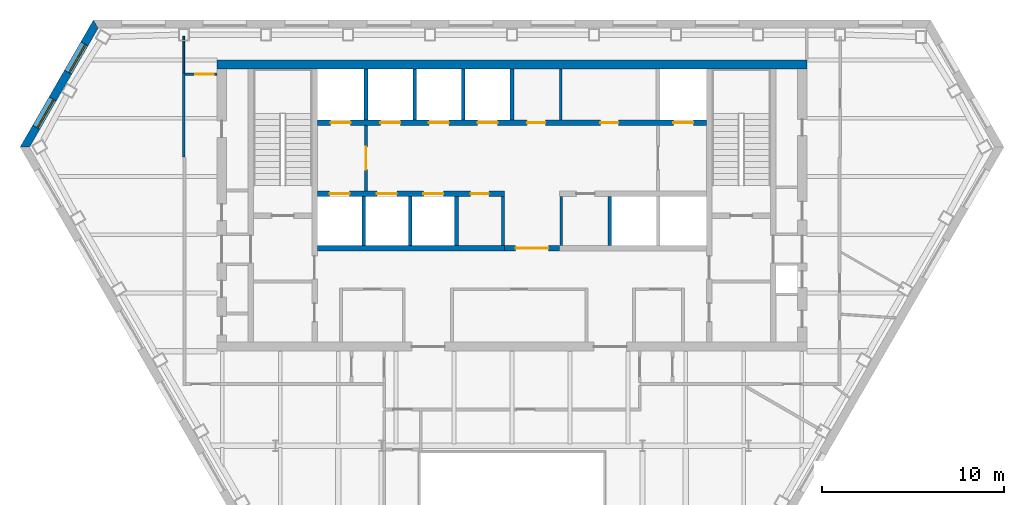
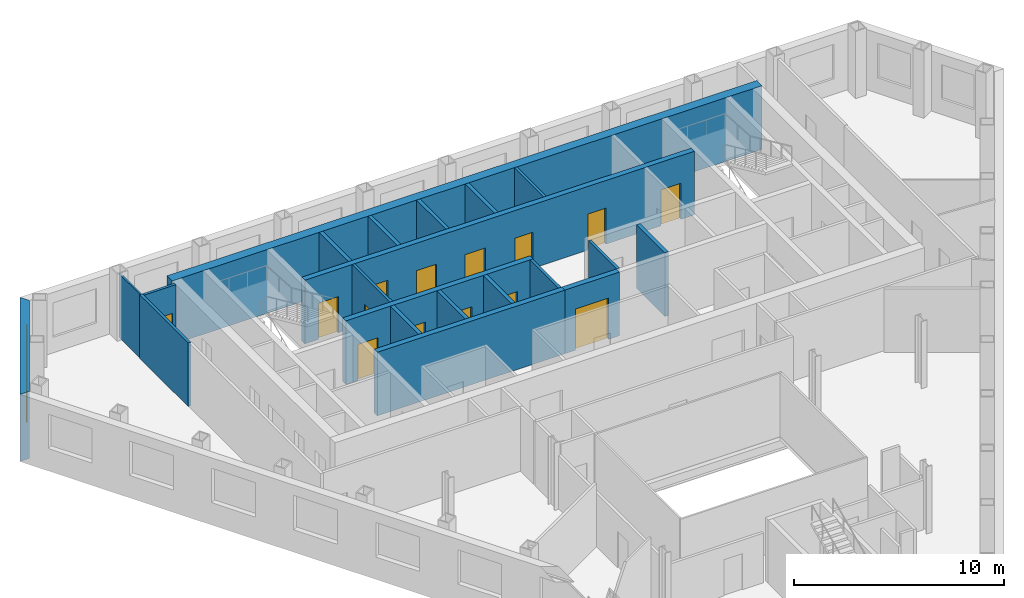
# One storey, part 6 of 11: 21 walls, 14 doors, 2 windows, 16 openings.
"""IFC4 building model written with IfcOpenShell, lengths in metres."""

from ifc_helpers import new_model, si_unit, direction, frame, frame_2d, origin, place, context, subcontext, project, spatial, polyline, rectangle, outline, extrude, material, layer, layer_set, type_object, element, fill, save


model = new_model("IFC4")

# Units and contexts
model_context = context("Model", 3, precision=1e-05, world=origin(), true_north=direction((0.0, 1.0)))
body_context = subcontext(model_context, "Body", "Model", "MODEL_VIEW")
ifc_project = project(units=[si_unit("LENGTHUNIT", "METRE"), si_unit("AREAUNIT", "SQUARE_METRE"), si_unit("VOLUMEUNIT", "CUBIC_METRE"), si_unit("PLANEANGLEUNIT", "RADIAN"), si_unit("MASSUNIT", "GRAM", prefix="KILO")], contexts=[model_context])

# Site, building, storey
site_placement = place(None, origin())
site = spatial("IfcSite", under=ifc_project, at=site_placement, CompositionType="ELEMENT")
building_placement = place(site_placement, origin())
building = spatial("IfcBuilding", under=site, at=building_placement, Name="Njiva Tower", CompositionType="ELEMENT")
storey_placement = place(building_placement, frame((0.0, 0.0, 178.8)))
storey = spatial("IfcBuildingStorey", under=building, at=storey_placement, Name="L39", CompositionType="ELEMENT", Elevation=178.8)

# Walls
ifc_material_1 = material(Name="Blockwork", Category="masonry")
ifc_layer_1 = layer(ifc_material_1, 0.15)
ifc_layer_set_1 = layer_set([ifc_layer_1], Name="Blockwork")
wall_type_1 = type_object("IfcWallType", Name="WT1 Compartment partition 150", PredefinedType="PARTITIONING", material=ifc_layer_set_1)
wall_1_placement = place(storey_placement, frame((2.675, 14.7, 0.0), z_axis=(0.0, 0.0, 1.0), x_axis=(0.0, 1.0, 0.0)))
element("IfcWall", 1, at=wall_1_placement, inside=storey, type_object=wall_type_1, Name="Partition CN5", PredefinedType="PARTITIONING", context=body_context, shape_type="SweptSolid", body=[
    extrude(rectangle(XDim=2.8, YDim=0.15, at=frame_2d((1.4, 0.0))), origin(), (0.0, 0.0, 1.0), 3.7),
])
for number, where, z_axis, x_axis, name in (
    (2, (-0.5, 7.8, 0.0), (0.0, 0.0, 1.0), (0.0, 1.0, 0.0), "Partition CS4"),
    (3, (2.7, 7.8, 0.0), (0.0, 0.0, 1.0), (0.0, 1.0, 0.0), "Partition CS5"),
):
    element("IfcWall", number, at=place(storey_placement, frame(where, z_axis=z_axis, x_axis=x_axis)), inside=storey, type_object=wall_type_1, Name=name, PredefinedType="PARTITIONING", context=body_context, shape_type="SweptSolid", body=[
        extrude(rectangle(XDim=2.7, YDim=0.15, at=frame_2d((1.35, 0.0))), origin(), (0.0, 0.0, 1.0), 3.7),
    ])
ifc_material_2 = material(Name="Concrete C60/75", Category="concrete")
ifc_layer_2 = layer(ifc_material_2, 0.5)
ifc_layer_set_2 = layer_set([ifc_layer_2], Name="Concrete C60/75")
wall_type_2 = type_object("IfcWallType", Name="WT13 Core wall 500", PredefinedType="SHEAR", material=ifc_layer_set_2)
wall_2_placement = place(storey_placement, frame((-16.2, 17.75, 0.0), z_axis=(0.0, 0.0, 1.0), x_axis=(1.0, 0.0, 0.0)))
element("IfcWall", 4, at=wall_2_placement, inside=storey, type_object=wall_type_2, Name="Core wall north", PredefinedType="SHEAR", context=body_context, shape_type="SweptSolid", body=[
    extrude(rectangle(XDim=32.4, YDim=0.5, at=frame_2d((16.2, 0.0))), origin(), (0.0, 0.0, 1.0), 3.7),
])

# Wall, opening, door
ifc_layer_3 = layer(ifc_material_1, 0.15)
ifc_layer_set_3 = layer_set([ifc_layer_3], Name="Blockwork")
wall_type_3 = type_object("IfcWallType", Name="WT2 Lobby partition 150", PredefinedType="PARTITIONING", material=ifc_layer_set_3)
wall_3_placement = place(storey_placement, frame((-8.025, 10.8, 0.0), z_axis=(0.0, 0.0, 1.0), x_axis=(0.0, 1.0, 0.0)))
wall_3 = element("IfcWall", 5, at=wall_3_placement, inside=storey, type_object=wall_type_3, Name="Firefighting lobby wall A", PredefinedType="PARTITIONING", context=body_context, shape_type="SweptSolid", body=[
    extrude(rectangle(XDim=3.6, YDim=0.15, at=frame_2d((1.8, 0.0))), origin(), (0.0, 0.0, 1.0), 3.7),
])
opening_1_placement = place(wall_3_placement, frame((1.175, 0.0, 0.0)))
opening_1 = element("IfcOpeningElement", 6, at=opening_1_placement, cuts=wall_3, Name="Opening S13-D913", PredefinedType="OPENING", context=body_context, shape_type="SweptSolid", body=[
    extrude(rectangle(XDim=1.25, YDim=2.1, at=frame_2d((0.625, 1.05))), frame((0.0, 0.085, 0.0), z_axis=(0.0, -1.0, 0.0), x_axis=(1.0, 0.0, 0.0)), (0.0, 0.0, 1.0), 0.17),
])
ifc_material_3 = material(Name="Glazed steel fire door", Category="steel")
door_type_1 = type_object("IfcDoorType", Name="D8 Vestibule corridor door 1250x2100 glazed", OperationType="SINGLE_SWING_LEFT", PredefinedType="DOOR", material=ifc_material_3)
door_1_placement = place(opening_1_placement, origin())
door_1 = element("IfcDoor", 7, at=door_1_placement, inside=storey, type_object=door_type_1, Name="Stair vestibule corridor door", OperationType="SINGLE_SWING_RIGHT", OverallHeight=2.1, OverallWidth=1.25, PredefinedType="DOOR", context=body_context, shape_type="SweptSolid", body=[
    extrude(rectangle(XDim=1.25, YDim=2.1, at=frame_2d((0.625, 1.05))), frame((0.0, 0.025, 0.0), z_axis=(0.0, -1.0, 0.0), x_axis=(1.0, 0.0, 0.0)), (0.0, 0.0, 1.0), 0.05),
])
fill(opening_1, door_1)

# Walls
ifc_material_4 = material(Name="Gypsum board on steel studs", Category="gypsum")
ifc_layer_4 = layer(ifc_material_4, 0.1)
ifc_layer_set_4 = layer_set([ifc_layer_4], Name="Gypsum board on steel studs")
wall_type_4 = type_object("IfcWallType", Name="WT20 Gypsum partition 100", PredefinedType="PARTITIONING", material=ifc_layer_set_4)
wall_4_placement = place(storey_placement, frame((-18.034, 17.297, 0.0), z_axis=(0.0, 0.0, 1.0), x_axis=(0.0, 1.0, 0.0)))
element("IfcWall", 8, at=wall_4_placement, inside=storey, type_object=wall_type_4, Name="Partition S13-P002", PredefinedType="PARTITIONING", context=body_context, shape_type="SweptSolid", body=[
    extrude(rectangle(XDim=2.003, YDim=0.1, at=frame_2d((1.0015, 0.0))), origin(), (0.0, 0.0, 1.0), 3.7),
])
ifc_layer_5 = layer(ifc_material_4, 0.15)
ifc_layer_set_5 = layer_set([ifc_layer_5], Name="Gypsum board on steel studs")
wall_type_5 = type_object("IfcWallType", Name="WT21 Compartment wall 150", PredefinedType="PARTITIONING", material=ifc_layer_set_5)
wall_5_placement = place(storey_placement, frame((-18.034, 12.677, 0.0), z_axis=(0.0, 0.0, 1.0), x_axis=(0.0, 1.0, 0.0)))
element("IfcWall", 9, at=wall_5_placement, inside=storey, type_object=wall_type_5, Name="Partition S13-P001", PredefinedType="PARTITIONING", context=body_context, shape_type="SweptSolid", body=[
    extrude(rectangle(XDim=4.62, YDim=0.15, at=frame_2d((2.31, 0.0))), origin(), (0.0, 0.0, 1.0), 3.7),
])

# Wall, opening, door
wall_6_placement = place(storey_placement, frame((-17.959, 17.222, 0.0), z_axis=(0.0, 0.0, 1.0), x_axis=(1.0, 0.0, 0.0)))
wall_6 = element("IfcWall", 10, at=wall_6_placement, inside=storey, type_object=wall_type_5, Name="Partition S13-P004", PredefinedType="PARTITIONING", context=body_context, shape_type="SweptSolid", body=[
    extrude(rectangle(XDim=1.759, YDim=0.15, at=frame_2d((0.8795, 0.0))), origin(), (0.0, 0.0, 1.0), 3.7),
])
opening_2_placement = place(wall_6_placement, frame((0.559, 0.0, 0.0)))
opening_2 = element("IfcOpeningElement", 11, at=opening_2_placement, cuts=wall_6, Name="Opening S13-D001", PredefinedType="OPENING", context=body_context, shape_type="SweptSolid", body=[
    extrude(rectangle(XDim=1.0, YDim=2.1, at=frame_2d((0.5, 1.05))), frame((0.0, 0.085, 0.0), z_axis=(0.0, -1.0, 0.0), x_axis=(1.0, 0.0, 0.0)), (0.0, 0.0, 1.0), 0.17),
])
ifc_material_5 = material(Name="Steel fire door set", Category="steel")
door_type_2 = type_object("IfcDoorType", Name="D37 Fire door 1000x2100", OperationType="SINGLE_SWING_LEFT", PredefinedType="DOOR", material=ifc_material_5)
door_2_placement = place(opening_2_placement, origin())
door_2 = element("IfcDoor", 12, at=door_2_placement, inside=storey, type_object=door_type_2, Name="Door S13-D001", OperationType="SINGLE_SWING_LEFT", OverallHeight=2.1, OverallWidth=1.0, PredefinedType="DOOR", context=body_context, shape_type="SweptSolid", body=[
    extrude(rectangle(XDim=1.0, YDim=2.1, at=frame_2d((0.5, 1.05))), frame((0.0, 0.025, 0.0), z_axis=(0.0, -1.0, 0.0), x_axis=(1.0, 0.0, 0.0)), (0.0, 0.0, 1.0), 0.05),
])
fill(opening_2, door_2)

ifc_layer_6 = layer(ifc_material_1, 0.3)
ifc_layer_set_6 = layer_set([ifc_layer_6], Name="Blockwork")
wall_type_6 = type_object("IfcWallType", Name="WT5 Lobby partition 300", PredefinedType="PARTITIONING", material=ifc_layer_set_6)
wall_7_placement = place(storey_placement, frame((-0.4, 7.65, 0.0), z_axis=(0.0, 0.0, 1.0), x_axis=(1.0, 0.0, 0.0)))
wall_7 = element("IfcWall", 13, at=wall_7_placement, inside=storey, type_object=wall_type_6, Name="Lift lobby screen wall", PredefinedType="PARTITIONING", context=body_context, shape_type="SweptSolid", body=[
    extrude(rectangle(XDim=3.0, YDim=0.3, at=frame_2d((1.5, 0.0))), origin(), (0.0, 0.0, 1.0), 3.7),
])
opening_3_placement = place(wall_7_placement, frame((0.6, 0.0, 0.0)))
opening_3 = element("IfcOpeningElement", 14, at=opening_3_placement, cuts=wall_7, Name="Opening S13-D936", PredefinedType="OPENING", context=body_context, shape_type="SweptSolid", body=[
    extrude(rectangle(XDim=1.8, YDim=2.4, at=frame_2d((0.9, 1.2))), frame((0.0, 0.16, 0.0), z_axis=(0.0, -1.0, 0.0), x_axis=(1.0, 0.0, 0.0)), (0.0, 0.0, 1.0), 0.32),
])
ifc_material_6 = material(Name="Steel and glass door", Category="steel")
door_type_3 = type_object("IfcDoorType", Name="D3 Core entrance door 1800x2400", OperationType="DOUBLE_DOOR_SINGLE_SWING", PredefinedType="DOOR", material=ifc_material_6)
door_3_placement = place(opening_3_placement, origin())
door_3 = element("IfcDoor", 15, at=door_3_placement, inside=storey, type_object=door_type_3, Name="Core entrance door", OperationType="DOUBLE_DOOR_SINGLE_SWING", OverallHeight=2.4, OverallWidth=1.8, PredefinedType="DOOR", context=body_context, shape_type="SweptSolid", body=[
    extrude(rectangle(XDim=1.8, YDim=2.4, at=frame_2d((0.9, 1.2))), frame((0.0, 0.025, 0.0), z_axis=(0.0, -1.0, 0.0), x_axis=(1.0, 0.0, 0.0)), (0.0, 0.0, 1.0), 0.05),
])
fill(opening_3, door_3)

# Walls
ifc_material_7 = material(Name="Concrete C40/50", Category="concrete")
ifc_layer_7 = layer(ifc_material_7, 0.2)
ifc_layer_set_7 = layer_set([ifc_layer_7], Name="Concrete C40/50")
wall_type_7 = type_object("IfcWallType", Name="WT6 Lift shaft wall 200", PredefinedType="SHEAR", material=ifc_layer_set_7)
for number, where, z_axis, x_axis, name in (
    (16, (-8.025, 14.7, 0.0), (0.0, 0.0, 1.0), (0.0, 1.0, 0.0), "Shaft wall CN1"),
    (17, (-5.35, 14.7, 0.0), (0.0, 0.0, 1.0), (0.0, 1.0, 0.0), "Shaft wall CN2"),
    (18, (-2.675, 14.7, 0.0), (0.0, 0.0, 1.0), (0.0, 1.0, 0.0), "Shaft wall CN3"),
    (19, (0.0, 14.7, 0.0), (0.0, 0.0, 1.0), (0.0, 1.0, 0.0), "Shaft wall CN4"),
):
    element("IfcWall", number, at=place(storey_placement, frame(where, z_axis=z_axis, x_axis=x_axis)), inside=storey, type_object=wall_type_7, Name=name, PredefinedType="SHEAR", context=body_context, shape_type="SweptSolid", body=[
        extrude(rectangle(XDim=2.8, YDim=0.2, at=frame_2d((1.4, 0.0))), origin(), (0.0, 0.0, 1.0), 3.7),
    ])
for number, where, z_axis, x_axis, name in (
    (20, (-8.15, 7.8, 0.0), (0.0, 0.0, 1.0), (0.0, 1.0, 0.0), "Shaft wall CS1"),
    (21, (-5.6, 7.8, 0.0), (0.0, 0.0, 1.0), (0.0, 1.0, 0.0), "Shaft wall CS2"),
    (22, (-3.05, 7.8, 0.0), (0.0, 0.0, 1.0), (0.0, 1.0, 0.0), "Shaft wall CS3"),
    (23, (5.3667, 7.8, 0.0), (0.0, 0.0, 1.0), (0.0, 1.0, 0.0), "Shaft wall CS6"),
):
    element("IfcWall", number, at=place(storey_placement, frame(where, z_axis=z_axis, x_axis=x_axis)), inside=storey, type_object=wall_type_7, Name=name, PredefinedType="SHEAR", context=body_context, shape_type="SweptSolid", body=[
        extrude(rectangle(XDim=2.7, YDim=0.2, at=frame_2d((1.35, 0.0))), origin(), (0.0, 0.0, 1.0), 3.7),
    ])

# Wall, openings, doors
ifc_layer_8 = layer(ifc_material_7, 0.3)
ifc_layer_set_8 = layer_set([ifc_layer_8], Name="Concrete C40/50")
wall_type_8 = type_object("IfcWallType", Name="WT7 Lift shaft wall 300", PredefinedType="SHEAR", material=ifc_layer_set_8)
wall_8_placement = place(storey_placement, frame((-10.7, 14.55, 0.0), z_axis=(0.0, 0.0, 1.0), x_axis=(1.0, 0.0, 0.0)))
wall_8 = element("IfcWall", 24, at=wall_8_placement, inside=storey, type_object=wall_type_8, Name="Shaft wall north row lobby side", PredefinedType="SHEAR", context=body_context, shape_type="SweptSolid", body=[
    extrude(rectangle(XDim=21.4, YDim=0.3, at=frame_2d((10.7, 0.0))), origin(), (0.0, 0.0, 1.0), 3.7),
])
opening_4_placement = place(wall_8_placement, frame((0.7375, 0.0, 0.0)))
opening_4 = element("IfcOpeningElement", 25, at=opening_4_placement, cuts=wall_8, Name="Opening S13-D901", PredefinedType="OPENING", context=body_context, shape_type="SweptSolid", body=[
    extrude(rectangle(XDim=1.1, YDim=2.1, at=frame_2d((0.55, 1.05))), frame((0.0, 0.16, 0.0), z_axis=(0.0, -1.0, 0.0), x_axis=(1.0, 0.0, 0.0)), (0.0, 0.0, 1.0), 0.32),
])
opening_5_placement = place(wall_8_placement, frame((3.4625, 0.0, 0.0)))
opening_5 = element("IfcOpeningElement", 26, at=opening_5_placement, cuts=wall_8, Name="Opening S13-D902", PredefinedType="OPENING", context=body_context, shape_type="SweptSolid", body=[
    extrude(rectangle(XDim=1.1, YDim=2.1, at=frame_2d((0.55, 1.05))), frame((0.0, 0.16, 0.0), z_axis=(0.0, -1.0, 0.0), x_axis=(1.0, 0.0, 0.0)), (0.0, 0.0, 1.0), 0.32),
])
opening_6_placement = place(wall_8_placement, frame((6.1375, 0.0, 0.0)))
opening_6 = element("IfcOpeningElement", 27, at=opening_6_placement, cuts=wall_8, Name="Opening S13-D903", PredefinedType="OPENING", context=body_context, shape_type="SweptSolid", body=[
    extrude(rectangle(XDim=1.1, YDim=2.1, at=frame_2d((0.55, 1.05))), frame((0.0, 0.16, 0.0), z_axis=(0.0, -1.0, 0.0), x_axis=(1.0, 0.0, 0.0)), (0.0, 0.0, 1.0), 0.32),
])
opening_7_placement = place(wall_8_placement, frame((8.8125, 0.0, 0.0)))
opening_7 = element("IfcOpeningElement", 28, at=opening_7_placement, cuts=wall_8, Name="Opening S13-D904", PredefinedType="OPENING", context=body_context, shape_type="SweptSolid", body=[
    extrude(rectangle(XDim=1.1, YDim=2.1, at=frame_2d((0.55, 1.05))), frame((0.0, 0.16, 0.0), z_axis=(0.0, -1.0, 0.0), x_axis=(1.0, 0.0, 0.0)), (0.0, 0.0, 1.0), 0.32),
])
opening_8_placement = place(wall_8_placement, frame((19.5625, 0.0, 0.0)))
opening_8 = element("IfcOpeningElement", 29, at=opening_8_placement, cuts=wall_8, Name="Opening S13-D905", PredefinedType="OPENING", context=body_context, shape_type="SweptSolid", body=[
    extrude(rectangle(XDim=1.1, YDim=2.1, at=frame_2d((0.55, 1.05))), frame((0.0, 0.16, 0.0), z_axis=(0.0, -1.0, 0.0), x_axis=(1.0, 0.0, 0.0)), (0.0, 0.0, 1.0), 0.32),
])
opening_9_placement = place(wall_8_placement, frame((11.5375, 0.0, 0.0)))
opening_9 = element("IfcOpeningElement", 30, at=opening_9_placement, cuts=wall_8, Name="Opening S13-D909", PredefinedType="OPENING", context=body_context, shape_type="SweptSolid", body=[
    extrude(rectangle(XDim=1.0, YDim=2.1, at=frame_2d((0.5, 1.05))), frame((0.0, 0.16, 0.0), z_axis=(0.0, -1.0, 0.0), x_axis=(1.0, 0.0, 0.0)), (0.0, 0.0, 1.0), 0.32),
])
opening_10_placement = place(wall_8_placement, frame((15.55, 0.0, 0.0)))
opening_10 = element("IfcOpeningElement", 31, at=opening_10_placement, cuts=wall_8, Name="Opening S13-D910", PredefinedType="OPENING", context=body_context, shape_type="SweptSolid", body=[
    extrude(rectangle(XDim=1.0, YDim=2.1, at=frame_2d((0.5, 1.05))), frame((0.0, 0.16, 0.0), z_axis=(0.0, -1.0, 0.0), x_axis=(1.0, 0.0, 0.0)), (0.0, 0.0, 1.0), 0.32),
])
ifc_material_8 = material(Name="Steel door, painted", Category="steel")
door_type_4 = type_object("IfcDoorType", Name="D5 Steel door 1000x2100", OperationType="SINGLE_SWING_LEFT", PredefinedType="DOOR", material=ifc_material_8)
door_4_placement = place(opening_9_placement, origin())
door_4 = element("IfcDoor", 32, at=door_4_placement, inside=storey, type_object=door_type_4, Name="Quiet room door", OperationType="SINGLE_SWING_LEFT", OverallHeight=2.1, OverallWidth=1.0, PredefinedType="DOOR", context=body_context, shape_type="SweptSolid", body=[
    extrude(rectangle(XDim=1.0, YDim=2.1, at=frame_2d((0.5, 1.05))), frame((0.0, 0.025, 0.0), z_axis=(0.0, -1.0, 0.0), x_axis=(1.0, 0.0, 0.0)), (0.0, 0.0, 1.0), 0.05),
])
fill(opening_9, door_4)
door_5_placement = place(opening_10_placement, origin())
door_5 = element("IfcDoor", 33, at=door_5_placement, inside=storey, type_object=door_type_4, Name="Prayer room door", OperationType="SINGLE_SWING_LEFT", OverallHeight=2.1, OverallWidth=1.0, PredefinedType="DOOR", context=body_context, shape_type="SweptSolid", body=[
    extrude(rectangle(XDim=1.0, YDim=2.1, at=frame_2d((0.5, 1.05))), frame((0.0, 0.025, 0.0), z_axis=(0.0, -1.0, 0.0), x_axis=(1.0, 0.0, 0.0)), (0.0, 0.0, 1.0), 0.05),
])
fill(opening_10, door_5)
ifc_material_9 = material(Name="Stainless steel sliding door", Category="steel")
door_type_5 = type_object("IfcDoorType", Name="LD Lift landing door 1100x2100", OperationType="SLIDING_TO_LEFT", PredefinedType="DOOR", material=ifc_material_9)
door_6_placement = place(opening_4_placement, origin())
door_6 = element("IfcDoor", 34, at=door_6_placement, inside=storey, type_object=door_type_5, Name="Lift landing door FF1", OperationType="SLIDING_TO_LEFT", OverallHeight=2.1, OverallWidth=1.1, PredefinedType="DOOR", context=body_context, shape_type="SweptSolid", body=[
    extrude(rectangle(XDim=1.1, YDim=2.1, at=frame_2d((0.55, 1.05))), frame((0.0, 0.025, 0.0), z_axis=(0.0, -1.0, 0.0), x_axis=(1.0, 0.0, 0.0)), (0.0, 0.0, 1.0), 0.05),
])
fill(opening_4, door_6)
door_7_placement = place(opening_5_placement, origin())
door_7 = element("IfcDoor", 35, at=door_7_placement, inside=storey, type_object=door_type_5, Name="Lift landing door MB4", OperationType="SLIDING_TO_LEFT", OverallHeight=2.1, OverallWidth=1.1, PredefinedType="DOOR", context=body_context, shape_type="SweptSolid", body=[
    extrude(rectangle(XDim=1.1, YDim=2.1, at=frame_2d((0.55, 1.05))), frame((0.0, 0.025, 0.0), z_axis=(0.0, -1.0, 0.0), x_axis=(1.0, 0.0, 0.0)), (0.0, 0.0, 1.0), 0.05),
])
fill(opening_5, door_7)
door_8_placement = place(opening_6_placement, origin())
door_8 = element("IfcDoor", 36, at=door_8_placement, inside=storey, type_object=door_type_5, Name="Lift landing door MB5", OperationType="SLIDING_TO_LEFT", OverallHeight=2.1, OverallWidth=1.1, PredefinedType="DOOR", context=body_context, shape_type="SweptSolid", body=[
    extrude(rectangle(XDim=1.1, YDim=2.1, at=frame_2d((0.55, 1.05))), frame((0.0, 0.025, 0.0), z_axis=(0.0, -1.0, 0.0), x_axis=(1.0, 0.0, 0.0)), (0.0, 0.0, 1.0), 0.05),
])
fill(opening_6, door_8)
door_9_placement = place(opening_7_placement, origin())
door_9 = element("IfcDoor", 37, at=door_9_placement, inside=storey, type_object=door_type_5, Name="Lift landing door MB6", OperationType="SLIDING_TO_LEFT", OverallHeight=2.1, OverallWidth=1.1, PredefinedType="DOOR", context=body_context, shape_type="SweptSolid", body=[
    extrude(rectangle(XDim=1.1, YDim=2.1, at=frame_2d((0.55, 1.05))), frame((0.0, 0.025, 0.0), z_axis=(0.0, -1.0, 0.0), x_axis=(1.0, 0.0, 0.0)), (0.0, 0.0, 1.0), 0.05),
])
fill(opening_7, door_9)
door_10_placement = place(opening_8_placement, origin())
door_10 = element("IfcDoor", 38, at=door_10_placement, inside=storey, type_object=door_type_5, Name="Lift landing door FF2", OperationType="SLIDING_TO_LEFT", OverallHeight=2.1, OverallWidth=1.1, PredefinedType="DOOR", context=body_context, shape_type="SweptSolid", body=[
    extrude(rectangle(XDim=1.1, YDim=2.1, at=frame_2d((0.55, 1.05))), frame((0.0, 0.025, 0.0), z_axis=(0.0, -1.0, 0.0), x_axis=(1.0, 0.0, 0.0)), (0.0, 0.0, 1.0), 0.05),
])
fill(opening_8, door_10)

wall_9_placement = place(storey_placement, frame((-10.7, 10.65, 0.0), z_axis=(0.0, 0.0, 1.0), x_axis=(1.0, 0.0, 0.0)))
wall_9 = element("IfcWall", 39, at=wall_9_placement, inside=storey, type_object=wall_type_8, Name="Shaft wall south row lobby side W", PredefinedType="SHEAR", context=body_context, shape_type="SweptSolid", body=[
    extrude(rectangle(XDim=10.3, YDim=0.3, at=frame_2d((5.15, 0.0))), origin(), (0.0, 0.0, 1.0), 3.7),
])
opening_11_placement = place(wall_9_placement, frame((0.675, 0.0, 0.0)))
opening_11 = element("IfcOpeningElement", 40, at=opening_11_placement, cuts=wall_9, Name="Opening S13-D906", PredefinedType="OPENING", context=body_context, shape_type="SweptSolid", body=[
    extrude(rectangle(XDim=1.1, YDim=2.1, at=frame_2d((0.55, 1.05))), frame((0.0, 0.16, 0.0), z_axis=(0.0, -1.0, 0.0), x_axis=(1.0, 0.0, 0.0)), (0.0, 0.0, 1.0), 0.32),
])
opening_12_placement = place(wall_9_placement, frame((3.275, 0.0, 0.0)))
opening_12 = element("IfcOpeningElement", 41, at=opening_12_placement, cuts=wall_9, Name="Opening S13-D907", PredefinedType="OPENING", context=body_context, shape_type="SweptSolid", body=[
    extrude(rectangle(XDim=1.1, YDim=2.1, at=frame_2d((0.55, 1.05))), frame((0.0, 0.16, 0.0), z_axis=(0.0, -1.0, 0.0), x_axis=(1.0, 0.0, 0.0)), (0.0, 0.0, 1.0), 0.32),
])
opening_13_placement = place(wall_9_placement, frame((5.825, 0.0, 0.0)))
opening_13 = element("IfcOpeningElement", 42, at=opening_13_placement, cuts=wall_9, Name="Opening S13-D908", PredefinedType="OPENING", context=body_context, shape_type="SweptSolid", body=[
    extrude(rectangle(XDim=1.1, YDim=2.1, at=frame_2d((0.55, 1.05))), frame((0.0, 0.16, 0.0), z_axis=(0.0, -1.0, 0.0), x_axis=(1.0, 0.0, 0.0)), (0.0, 0.0, 1.0), 0.32),
])
opening_14_placement = place(wall_9_placement, frame((8.425, 0.0, 0.0)))
opening_14 = element("IfcOpeningElement", 43, at=opening_14_placement, cuts=wall_9, Name="Opening S13-D911", PredefinedType="OPENING", context=body_context, shape_type="SweptSolid", body=[
    extrude(rectangle(XDim=1.0, YDim=2.1, at=frame_2d((0.5, 1.05))), frame((0.0, 0.16, 0.0), z_axis=(0.0, -1.0, 0.0), x_axis=(1.0, 0.0, 0.0)), (0.0, 0.0, 1.0), 0.32),
])
door_11_placement = place(opening_14_placement, origin())
door_11 = element("IfcDoor", 44, at=door_11_placement, inside=storey, type_object=door_type_4, Name="Business centre door", OperationType="SINGLE_SWING_RIGHT", OverallHeight=2.1, OverallWidth=1.0, PredefinedType="DOOR", context=body_context, shape_type="SweptSolid", body=[
    extrude(rectangle(XDim=1.0, YDim=2.1, at=frame_2d((0.5, 1.05))), frame((0.0, 0.025, 0.0), z_axis=(0.0, -1.0, 0.0), x_axis=(1.0, 0.0, 0.0)), (0.0, 0.0, 1.0), 0.05),
])
fill(opening_14, door_11)
door_12_placement = place(opening_11_placement, origin())
door_12 = element("IfcDoor", 45, at=door_12_placement, inside=storey, type_object=door_type_5, Name="Lift landing door MB1", OperationType="SLIDING_TO_LEFT", OverallHeight=2.1, OverallWidth=1.1, PredefinedType="DOOR", context=body_context, shape_type="SweptSolid", body=[
    extrude(rectangle(XDim=1.1, YDim=2.1, at=frame_2d((0.55, 1.05))), frame((0.0, 0.025, 0.0), z_axis=(0.0, -1.0, 0.0), x_axis=(1.0, 0.0, 0.0)), (0.0, 0.0, 1.0), 0.05),
])
fill(opening_11, door_12)
door_13_placement = place(opening_12_placement, origin())
door_13 = element("IfcDoor", 46, at=door_13_placement, inside=storey, type_object=door_type_5, Name="Lift landing door MB2", OperationType="SLIDING_TO_LEFT", OverallHeight=2.1, OverallWidth=1.1, PredefinedType="DOOR", context=body_context, shape_type="SweptSolid", body=[
    extrude(rectangle(XDim=1.1, YDim=2.1, at=frame_2d((0.55, 1.05))), frame((0.0, 0.025, 0.0), z_axis=(0.0, -1.0, 0.0), x_axis=(1.0, 0.0, 0.0)), (0.0, 0.0, 1.0), 0.05),
])
fill(opening_12, door_13)
door_14_placement = place(opening_13_placement, origin())
door_14 = element("IfcDoor", 47, at=door_14_placement, inside=storey, type_object=door_type_5, Name="Lift landing door MB3", OperationType="SLIDING_TO_LEFT", OverallHeight=2.1, OverallWidth=1.1, PredefinedType="DOOR", context=body_context, shape_type="SweptSolid", body=[
    extrude(rectangle(XDim=1.1, YDim=2.1, at=frame_2d((0.55, 1.05))), frame((0.0, 0.025, 0.0), z_axis=(0.0, -1.0, 0.0), x_axis=(1.0, 0.0, 0.0)), (0.0, 0.0, 1.0), 0.05),
])
fill(opening_13, door_14)

# Wall
wall_10_placement = place(storey_placement, frame((-10.7, 7.65, 0.0), z_axis=(0.0, 0.0, 1.0), x_axis=(1.0, 0.0, 0.0)))
element("IfcWall", 48, at=wall_10_placement, inside=storey, type_object=wall_type_8, Name="Shaft wall south row back W", PredefinedType="SHEAR", context=body_context, shape_type="SweptSolid", body=[
    extrude(rectangle(XDim=10.3, YDim=0.3, at=frame_2d((5.15, 0.0))), origin(), (0.0, 0.0, 1.0), 3.7),
])

# Wall, openings, windows
ifc_material_10 = material(Name="Brick masonry, buff", Category="masonry")
ifc_layer_9 = layer(ifc_material_10, 0.45)
ifc_layer_set_9 = layer_set([ifc_layer_9], Name="Brick masonry, buff")
wall_type_9 = type_object("IfcWallType", Name="WT94 Brick pier and spandrel wall 450, buff", PredefinedType="SOLIDWALL", material=ifc_layer_set_9)
wall_11_placement = place(storey_placement, frame((-22.8713, 19.9728, -0.4), z_axis=(0.0, 0.0, 1.0), x_axis=(-0.500003961136, -0.86602311681, 0.0)))
wall_11 = element("IfcWall", 49, at=wall_11_placement, inside=storey, type_object=wall_type_9, Name="Facade wall NW", PredefinedType="SOLIDWALL", context=body_context, shape_type="SweptSolid", body=[
    extrude(outline(polyline([(-0.1299, -0.225), (7.93, -0.225), (7.6702, 0.225), (0.1299, 0.225), (-0.1299, -0.225)])), origin(), (0.0, 0.0, 1.0), 3.9),
])
opening_15_placement = place(wall_11_placement, frame((1.2544, 0.0, 1.3)))
opening_15 = element("IfcOpeningElement", 50, at=opening_15_placement, cuts=wall_11, Name="Opening S13-W10", PredefinedType="OPENING", context=body_context, shape_type="SweptSolid", body=[
    extrude(rectangle(XDim=1.8, YDim=2.0, at=frame_2d((0.9, 1.0))), frame((0.0, 0.235, 0.0), z_axis=(0.0, -1.0, 0.0), x_axis=(1.0, 0.0, 0.0)), (0.0, 0.0, 1.0), 0.47),
])
opening_16_placement = place(wall_11_placement, frame((4.7457, 0.0, 1.3)))
opening_16 = element("IfcOpeningElement", 51, at=opening_16_placement, cuts=wall_11, Name="Opening S13-W11", PredefinedType="OPENING", context=body_context, shape_type="SweptSolid", body=[
    extrude(rectangle(XDim=1.8, YDim=2.0, at=frame_2d((0.9, 1.0))), frame((0.0, 0.235, 0.0), z_axis=(0.0, -1.0, 0.0), x_axis=(1.0, 0.0, 0.0)), (0.0, 0.0, 1.0), 0.47),
])
ifc_material_11 = material(Name="Clear glazing in aluminium frame", Category="aluminium")
window_type = type_object("IfcWindowType", Name="W94 Deep-set window 1800x2000", PartitioningType="SINGLE_PANEL", PredefinedType="WINDOW", material=ifc_material_11)
window_1_placement = place(opening_15_placement, origin())
window_1 = element("IfcWindow", 52, at=window_1_placement, inside=storey, type_object=window_type, Name="Window", OverallHeight=2.0, OverallWidth=1.8, PartitioningType="SINGLE_PANEL", PredefinedType="WINDOW", context=body_context, shape_type="SweptSolid", body=[
    extrude(rectangle(XDim=1.8, YDim=2.0, at=frame_2d((0.9, 1.0))), frame((0.0, 0.105, 0.0), z_axis=(0.0, -1.0, 0.0), x_axis=(1.0, 0.0, 0.0)), (0.0, 0.0, 1.0), 0.06),
])
fill(opening_15, window_1)
window_2_placement = place(opening_16_placement, origin())
window_2 = element("IfcWindow", 53, at=window_2_placement, inside=storey, type_object=window_type, Name="Window", OverallHeight=2.0, OverallWidth=1.8, PartitioningType="SINGLE_PANEL", PredefinedType="WINDOW", context=body_context, shape_type="SweptSolid", body=[
    extrude(rectangle(XDim=1.8, YDim=2.0, at=frame_2d((0.9, 1.0))), frame((0.0, 0.105, 0.0), z_axis=(0.0, -1.0, 0.0), x_axis=(1.0, 0.0, 0.0)), (0.0, 0.0, 1.0), 0.06),
])
fill(opening_16, window_2)

save(model, "model.ifc")
